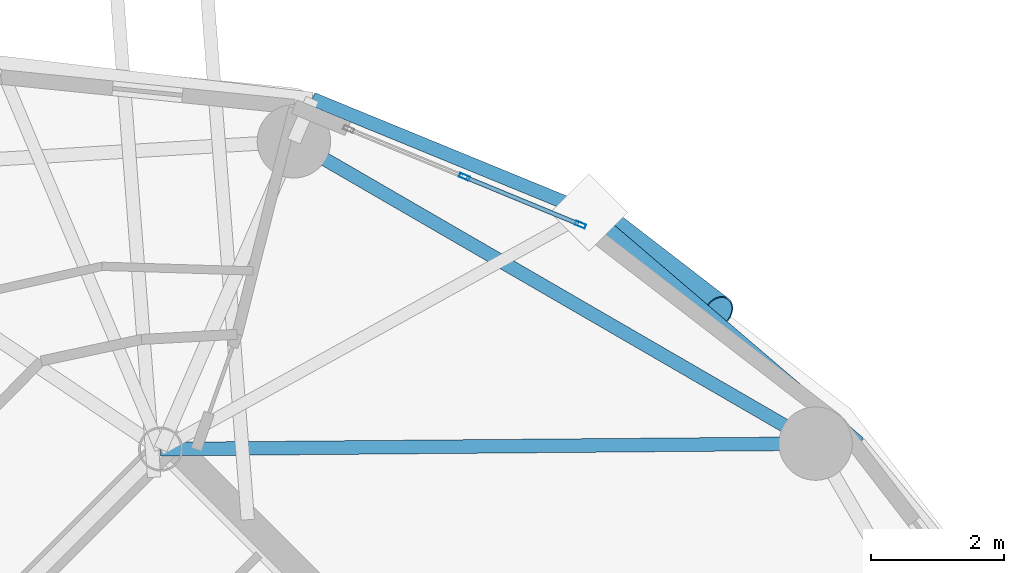
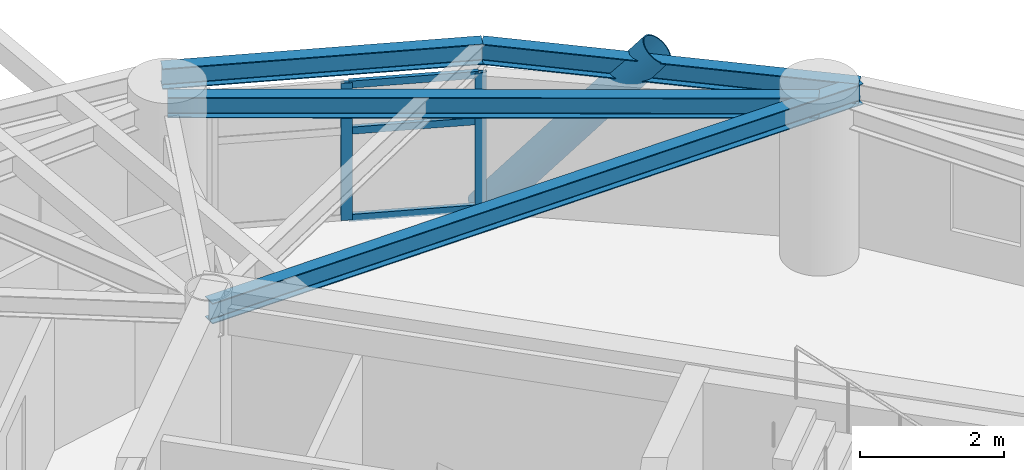
# One storey, part 6 of 16: 6 members, 4 beams, 1 element without a shape of its own.
"""IFC4 building model written with IfcOpenShell, lengths in metres."""

from ifc_helpers import new_model, si_unit, direction, frame, origin, origin_2d, place, context, subcontext, project, spatial, hollow_rectangle, hollow_circle, i_section, extrude, material, layer, layer_set, material_profile, profile_set, type_object, element, aggregate, save


model = new_model("IFC4")

# Units and contexts
model_context = context("Model", 3, precision=1e-05, world=origin(), true_north=direction((0.0, 1.0)))
body_context = subcontext(model_context, "Body", "Model", "MODEL_VIEW")
ifc_project = project(units=[si_unit("LENGTHUNIT", "METRE"), si_unit("AREAUNIT", "SQUARE_METRE"), si_unit("VOLUMEUNIT", "CUBIC_METRE"), si_unit("PLANEANGLEUNIT", "RADIAN"), si_unit("MASSUNIT", "GRAM", prefix="KILO")], contexts=[model_context])

# Site, building, storey
site_placement = place(None, origin())
site = spatial("IfcSite", under=ifc_project, at=site_placement, CompositionType="ELEMENT")
building_placement = place(site_placement, origin())
building = spatial("IfcBuilding", under=site, at=building_placement, Name="Cununo Teusaquillo Station Towers", CompositionType="ELEMENT")
storey_placement = place(building_placement, frame((0.0, 0.0, 219.93994140625)))
storey = spatial("IfcBuildingStorey", under=building, at=storey_placement, Name="L70", CompositionType="ELEMENT", Elevation=219.93994140625)

# Beams
ifc_material_1 = material(Name="Steel ASTM A572 Grade 50", Category="steel")
ifc_material_profile_1 = material_profile(ifc_material_1, i_section(OverallWidth=0.2041015625, OverallDepth=0.35009765625, WebThickness=0.008544921875, FlangeThickness=0.01513671875, FilletRadius=0.011962890625, at=origin_2d()), Name="W14X48")
ifc_profile_set_1 = profile_set([ifc_material_profile_1], Name="Steel ASTM A572 Grade 50")
beam_type_1 = type_object("IfcBeamType", Name="BM-RAD-G3", PredefinedType="BEAM", material=ifc_profile_set_1)
beam_1_placement = place(storey_placement, frame((56.29443359375, 33.024169921875, 2.525146484375), z_axis=(0.999964325253, 0.008446787673, 0.0), x_axis=(-0.008446787673, 0.999964325253, 0.0)))
element("IfcBeam", 1, at=beam_1_placement, inside=storey, type_object=beam_type_1, Name="L70 Tower B Continuous Overhanging Radial Girder 01", PredefinedType="BEAM", context=body_context, shape_type="SweptSolid", body=[
    extrude(i_section(OverallWidth=0.2041015625, OverallDepth=0.35009765625, WebThickness=0.008544921875, FlangeThickness=0.01513671875, FilletRadius=0.011962890625, at=origin_2d()), origin(), (0.0, 0.0, 1.0), 10.463134765625),
])
ifc_material_2 = material(Name="Steel ASTM A572 Grade 50", Category="steel")
ifc_material_profile_2 = material_profile(ifc_material_2, i_section(OverallWidth=0.2041015625, OverallDepth=0.35009765625, WebThickness=0.008544921875, FlangeThickness=0.01513671875, FilletRadius=0.011962890625, at=origin_2d()), Name="W14X48")
ifc_profile_set_2 = profile_set([ifc_material_profile_2], Name="Steel ASTM A572 Grade 50")
beam_type_2 = type_object("IfcBeamType", Name="BM-RING-Z4", PredefinedType="SPANDREL", material=ifc_profile_set_2)
beam_2_placement = place(storey_placement, frame((66.10693359375, 33.10693359375, 2.525146484375), z_axis=(-0.865267103202, 0.501311121078, 0.0), x_axis=(-0.501311121078, -0.865267103202, 0.0)))
element("IfcBeam", 2, at=beam_2_placement, inside=storey, type_object=beam_type_2, Name="L70 Tower B Structural Column Ring Girder 01", PredefinedType="SPANDREL", context=body_context, shape_type="SweptSolid", body=[
    extrude(i_section(OverallWidth=0.2041015625, OverallDepth=0.35009765625, WebThickness=0.008544921875, FlangeThickness=0.01513671875, FilletRadius=0.011962890625, at=origin_2d()), origin(), (0.0, 0.0, 1.0), 9.032958984375),
])
beam_3_placement = place(storey_placement, frame((66.757080078125, 33.112548828125, 2.525146484375), z_axis=(-0.760065778291, 0.649846145385, 0.0), x_axis=(-0.649846145385, -0.760065778291, 0.0)))
element("IfcBeam", 3, at=beam_3_placement, inside=storey, type_object=beam_type_2, Name="L70 Tower B Spandrel Ring Beam 01", PredefinedType="SPANDREL", context=body_context, shape_type="SweptSolid", body=[
    extrude(i_section(OverallWidth=0.2041015625, OverallDepth=0.35009765625, WebThickness=0.008544921875, FlangeThickness=0.01513671875, FilletRadius=0.011962890625, at=origin_2d()), origin(), (0.0, 0.0, 1.0), 5.320556640625),
])
beam_4_placement = place(storey_placement, frame((62.713134765625, 36.570068359375, 2.525146484375), z_axis=(-0.925283830437, 0.379275405388, 0.0), x_axis=(-0.379275405388, -0.925283830437, 0.0)))
element("IfcBeam", 4, at=beam_4_placement, inside=storey, type_object=beam_type_2, Name="L70 Tower B Spandrel Ring Beam 02", PredefinedType="SPANDREL", context=body_context, shape_type="SweptSolid", body=[
    extrude(i_section(OverallWidth=0.2041015625, OverallDepth=0.35009765625, WebThickness=0.008544921875, FlangeThickness=0.01513671875, FilletRadius=0.011962890625, at=origin_2d()), origin(), (0.0, 0.0, 1.0), 4.482177734375),
])

# Curtain wall, members
ifc_material_3 = material(Name="Ceramic-fritted dark low-E double glazing", Category="glass")
ifc_layer = layer(ifc_material_3, 0.179931640625)
ifc_layer_set = layer_set([ifc_layer], Name="Ceramic-fritted dark low-E double glazing")
curtain_wall_type = type_object("IfcCurtainWallType", Name="CW-SYS-07", PredefinedType="USERDEFINED", material=ifc_layer_set)
curtain_wall_placement = place(storey_placement, origin())
curtain_wall = element("IfcCurtainWall", 5, at=curtain_wall_placement, inside=storey, type_object=curtain_wall_type, Name="L70 Tower B Facade Curtain Wall C01", ObjectType="FRITTED GLAZING", PredefinedType="USERDEFINED")
ifc_material_4 = material(Name="Anodised dark bronze aluminium EN AW-6063-T6", Category="aluminium")
ifc_material_profile_3 = material_profile(ifc_material_4, hollow_rectangle(XDim=0.06494140625, YDim=0.159912109375, WallThickness=0.00390625, at=origin_2d()), Name="CW-MULL-65x160")
ifc_profile_set_3 = profile_set([ifc_material_profile_3], Name="Anodised dark bronze aluminium EN AW-6063-T6")
member_type_1 = type_object("IfcMemberType", Name="CWM-160", PredefinedType="MULLION", material=ifc_profile_set_3)
member_1_placement = place(storey_placement, frame((60.84716796875, 37.102294921875, 0.0), z_axis=(0.0, 0.0, 1.0), x_axis=(0.381310513086, 0.924447019904, 0.0)))
member_1 = element("IfcMember", 6, at=member_1_placement, type_object=member_type_1, Name="CW-07 mullion 2", PredefinedType="MULLION", context=body_context, shape_type="SweptSolid", body=[
    extrude(hollow_rectangle(XDim=0.06494140625, YDim=0.159912109375, WallThickness=0.00390625, at=origin_2d()), origin(), (0.0, 0.0, 1.0), 2.322021484375),
])
member_2_placement = place(storey_placement, frame((62.583251953125, 36.38623046875, 0.0), z_axis=(0.0, 0.0, 1.0), x_axis=(0.381310513086, 0.924447019904, 0.0)))
member_2 = element("IfcMember", 7, at=member_2_placement, type_object=member_type_1, Name="CW-07 mullion 3", PredefinedType="MULLION", context=body_context, shape_type="SweptSolid", body=[
    extrude(hollow_rectangle(XDim=0.06494140625, YDim=0.159912109375, WallThickness=0.00390625, at=origin_2d()), origin(), (0.0, 0.0, 1.0), 2.322021484375),
])
ifc_material_5 = material(Name="Anodised dark bronze aluminium EN AW-6063-T6", Category="aluminium")
ifc_material_profile_4 = material_profile(ifc_material_5, hollow_rectangle(XDim=0.06494140625, YDim=0.1201171875, WallThickness=0.00390625, at=origin_2d()), Name="CW-TRAN-65x120")
ifc_profile_set_4 = profile_set([ifc_material_profile_4], Name="Anodised dark bronze aluminium EN AW-6063-T6")
member_type_2 = type_object("IfcMemberType", Name="CWT-120", PredefinedType="USERDEFINED", material=ifc_profile_set_4)
member_3_placement = place(storey_placement, frame((60.877197265625, 37.08984375, 0.032470703125), z_axis=(0.92447716721, -0.381237415932, 0.0), x_axis=(0.381237415932, 0.92447716721, 0.0)))
member_3 = element("IfcMember", 8, at=member_3_placement, type_object=member_type_2, Name="CW-07 transom 2.1", ObjectType="TRANSOM", PredefinedType="USERDEFINED", context=body_context, shape_type="SweptSolid", body=[
    extrude(hollow_rectangle(XDim=0.06494140625, YDim=0.1201171875, WallThickness=0.00390625, at=origin_2d()), origin(), (0.0, 0.0, 1.0), 1.81298828125),
])
member_4_placement = place(storey_placement, frame((60.877197265625, 37.08984375, 1.509033203125), z_axis=(0.92447716721, -0.381237415932, 0.0), x_axis=(0.381237415932, 0.92447716721, 0.0)))
member_4 = element("IfcMember", 9, at=member_4_placement, type_object=member_type_2, Name="CW-07 transom 2.2", ObjectType="TRANSOM", PredefinedType="USERDEFINED", context=body_context, shape_type="SweptSolid", body=[
    extrude(hollow_rectangle(XDim=0.06494140625, YDim=0.1201171875, WallThickness=0.00390625, at=origin_2d()), origin(), (0.0, 0.0, 1.0), 1.81298828125),
])
member_5_placement = place(storey_placement, frame((60.877197265625, 37.08984375, 2.28955078125), z_axis=(0.92447716721, -0.381237415932, 0.0), x_axis=(0.381237415932, 0.92447716721, 0.0)))
member_5 = element("IfcMember", 10, at=member_5_placement, type_object=member_type_2, Name="CW-07 transom 2.3", ObjectType="TRANSOM", PredefinedType="USERDEFINED", context=body_context, shape_type="SweptSolid", body=[
    extrude(hollow_rectangle(XDim=0.06494140625, YDim=0.1201171875, WallThickness=0.00390625, at=origin_2d()), origin(), (0.0, 0.0, 1.0), 1.81298828125),
])
aggregate(curtain_wall, [member_1, member_2, member_3, member_4, member_5])

# Member
ifc_material_6 = material(Name="Steel EN 10025-2 S355J2", Category="steel")
ifc_material_profile_5 = material_profile(ifc_material_6, hollow_circle(Radius=0.25390625, WallThickness=0.01806640625, at=origin_2d()), Name="CHS 508x18")
ifc_profile_set_5 = profile_set([ifc_material_profile_5], Name="Steel EN 10025-2 S355J2")
member_type_3 = type_object("IfcMemberType", Name="MBR-DIAG-Z4", PredefinedType="BRACE", material=ifc_profile_set_5)
member_6_placement = place(storey_placement, frame((62.713134765625, 36.570068359375, -0.139892578125), z_axis=(0.509547803244, -0.392567653256, 0.765670734602), x_axis=(0.610304239587, 0.792167113141, 0.0)))
element("IfcMember", 11, at=member_6_placement, inside=storey, type_object=member_type_3, Name="L70 Tower B Folded-Zigzag Diagrid Tube C00", PredefinedType="BRACE", context=body_context, shape_type="SweptSolid", body=[
    extrude(hollow_circle(Radius=0.25390625, WallThickness=0.01806640625, at=origin_2d()), origin(), (0.0, 0.0, 1.0), 3.800537109375),
])

save(model, "model.ifc")
